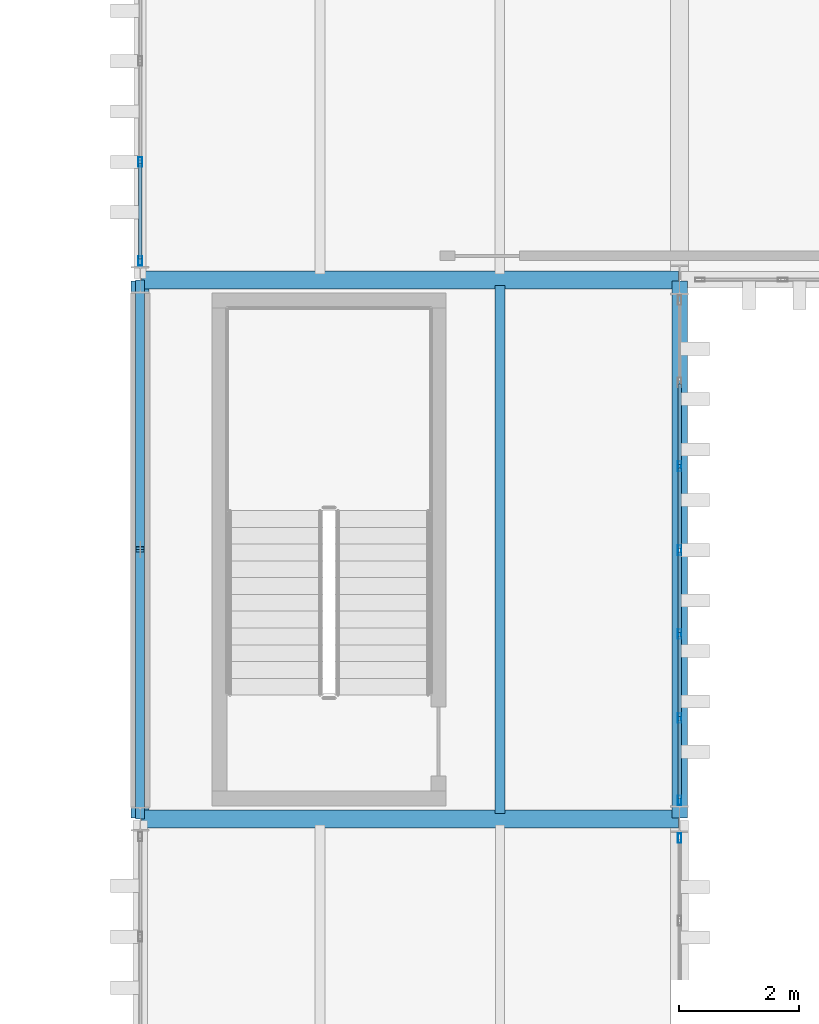
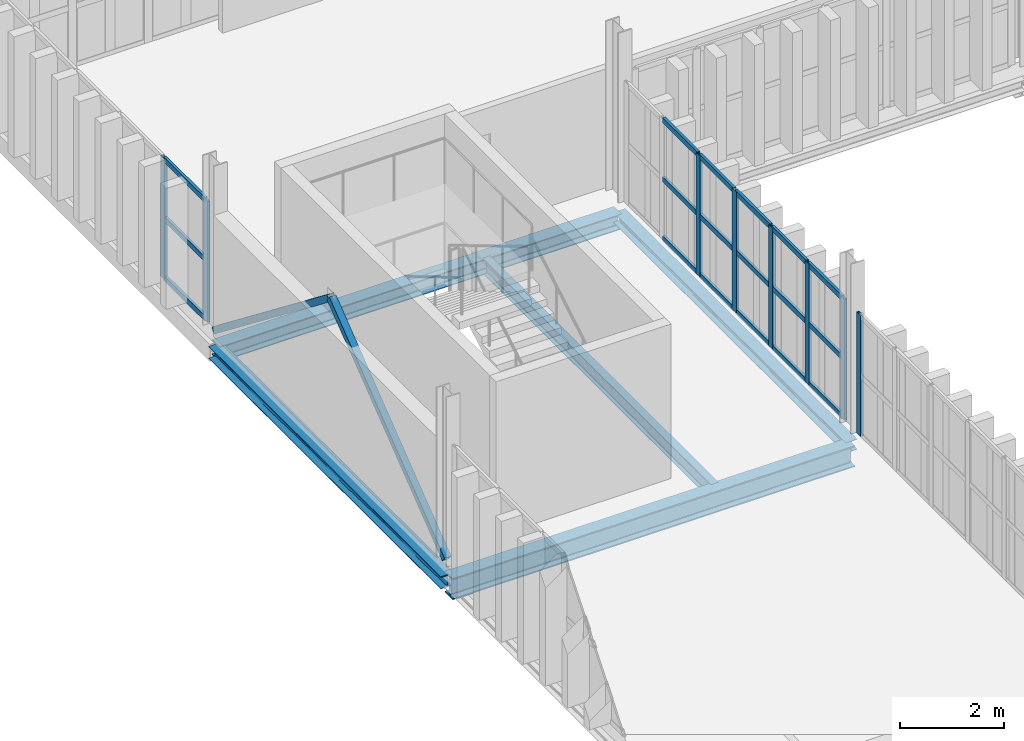
# One storey, part 55 of 102: 28 members, 5 beams, 3 elements without a shape of their own.
"""IFC4 building model written with IfcOpenShell, lengths in metres."""

from ifc_helpers import new_model, si_unit, direction, frame, origin, origin_2d, place, context, subcontext, project, spatial, hollow_rectangle, i_section, extrude, material, layer, layer_set, material_profile, profile_set, type_object, element, aggregate, save


model = new_model("IFC4")

# Units and contexts
model_context = context("Model", 3, precision=1e-05, world=origin(), true_north=direction((0.0, 1.0)))
body_context = subcontext(model_context, "Body", "Model", "MODEL_VIEW")
ifc_project = project(units=[si_unit("LENGTHUNIT", "METRE"), si_unit("AREAUNIT", "SQUARE_METRE"), si_unit("VOLUMEUNIT", "CUBIC_METRE"), si_unit("PLANEANGLEUNIT", "RADIAN"), si_unit("MASSUNIT", "GRAM", prefix="KILO")], contexts=[model_context])

# Site, building, storey
site_placement = place(None, origin())
site = spatial("IfcSite", under=ifc_project, at=site_placement, CompositionType="ELEMENT")
building_placement = place(site_placement, origin())
building = spatial("IfcBuilding", under=site, at=building_placement, Name="Barlavento Convention Centre", CompositionType="ELEMENT")
storey_placement = place(building_placement, frame((0.0, 0.0, 22.800048828125)))
storey = spatial("IfcBuildingStorey", under=building, at=storey_placement, Name="L04", CompositionType="ELEMENT", Elevation=22.800048828125)

# Curtain wall, member
ifc_material_1 = material(Name="Powder-coated aluminium and Low-E glass", Category="aluminium")
ifc_layer_1 = layer(ifc_material_1, 0.179931640625)
ifc_layer_set_1 = layer_set([ifc_layer_1], Name="ARC-CW-PATIO-B")
curtain_wall_type_1 = type_object("IfcCurtainWallType", Name="ARC-CW-PATIO-B", PredefinedType="NOTDEFINED", material=ifc_layer_set_1)
curtain_wall_1_placement = place(storey_placement, origin())
curtain_wall_1 = element("IfcCurtainWall", 1, at=curtain_wall_1_placement, inside=storey, type_object=curtain_wall_type_1, Name="L04 unitised curtain wall CW12", PredefinedType="NOTDEFINED")
ifc_material_2 = material(Name="Powder-coated aluminium", Category="aluminium")
ifc_material_profile_1 = material_profile(ifc_material_2, hollow_rectangle(XDim=0.06005859375, YDim=0.159912109375, WallThickness=0.00390625, at=origin_2d()), Name="AL-MULL 60x160x4")
ifc_profile_set_1 = profile_set([ifc_material_profile_1], Name="Powder-coated aluminium")
member_type_1 = type_object("IfcMemberType", Name="ARC-CWM-60X160", PredefinedType="MULLION", material=ifc_profile_set_1)
member_1_placement = place(storey_placement, frame((135.0, 80.68505859375, 0.0), z_axis=(0.0, 0.0, 1.0), x_axis=(-1.0, 0.0, 0.0)))
member_1 = element("IfcMember", 2, at=member_1_placement, type_object=member_type_1, Name="CW12 mullion 7", PredefinedType="MULLION", context=body_context, shape_type="SweptSolid", body=[
    extrude(hollow_rectangle(XDim=0.06005859375, YDim=0.159912109375, WallThickness=0.00390625, at=origin_2d()), origin(), (0.0, 0.0, 1.0), 2.849853515625),
])
aggregate(curtain_wall_1, [member_1])

# Curtain wall, members
curtain_wall_2_placement = place(storey_placement, origin())
curtain_wall_2 = element("IfcCurtainWall", 3, at=curtain_wall_2_placement, inside=storey, type_object=curtain_wall_type_1, Name="L04 unitised curtain wall CW12", PredefinedType="NOTDEFINED")
member_2_placement = place(storey_placement, frame((135.0, 81.31494140625, 0.0), z_axis=(0.0, 0.0, 1.0), x_axis=(-1.0, 0.0, 0.0)))
member_2 = element("IfcMember", 4, at=member_2_placement, type_object=member_type_1, Name="CW12 mullion 1", PredefinedType="MULLION", context=body_context, shape_type="SweptSolid", body=[
    extrude(hollow_rectangle(XDim=0.06005859375, YDim=0.159912109375, WallThickness=0.00390625, at=origin_2d()), origin(), (0.0, 0.0, 1.0), 2.849853515625),
])
member_3_placement = place(storey_placement, frame((135.0, 82.685791015625, 0.0), z_axis=(0.0, 0.0, 1.0), x_axis=(-1.0, 0.0, 0.0)))
member_3 = element("IfcMember", 5, at=member_3_placement, type_object=member_type_1, Name="CW12 mullion 2", PredefinedType="MULLION", context=body_context, shape_type="SweptSolid", body=[
    extrude(hollow_rectangle(XDim=0.06005859375, YDim=0.159912109375, WallThickness=0.00390625, at=origin_2d()), origin(), (0.0, 0.0, 1.0), 2.849853515625),
])
member_4_placement = place(storey_placement, frame((135.0, 84.086669921875, 0.0), z_axis=(0.0, 0.0, 1.0), x_axis=(-1.0, 0.0, 0.0)))
member_4 = element("IfcMember", 6, at=member_4_placement, type_object=member_type_1, Name="CW12 mullion 3", PredefinedType="MULLION", context=body_context, shape_type="SweptSolid", body=[
    extrude(hollow_rectangle(XDim=0.06005859375, YDim=0.159912109375, WallThickness=0.00390625, at=origin_2d()), origin(), (0.0, 0.0, 1.0), 2.849853515625),
])
member_5_placement = place(storey_placement, frame((135.0, 85.487548828125, 0.0), z_axis=(0.0, 0.0, 1.0), x_axis=(-1.0, 0.0, 0.0)))
member_5 = element("IfcMember", 7, at=member_5_placement, type_object=member_type_1, Name="CW12 mullion 4", PredefinedType="MULLION", context=body_context, shape_type="SweptSolid", body=[
    extrude(hollow_rectangle(XDim=0.06005859375, YDim=0.159912109375, WallThickness=0.00390625, at=origin_2d()), origin(), (0.0, 0.0, 1.0), 2.849853515625),
])
member_6_placement = place(storey_placement, frame((135.0, 86.888427734375, 0.0), z_axis=(0.0, 0.0, 1.0), x_axis=(-1.0, 0.0, 0.0)))
member_6 = element("IfcMember", 8, at=member_6_placement, type_object=member_type_1, Name="CW12 mullion 5", PredefinedType="MULLION", context=body_context, shape_type="SweptSolid", body=[
    extrude(hollow_rectangle(XDim=0.06005859375, YDim=0.159912109375, WallThickness=0.00390625, at=origin_2d()), origin(), (0.0, 0.0, 1.0), 2.849853515625),
])

ifc_layer_2 = layer(ifc_material_1, 0.18505859375)
ifc_layer_set_2 = layer_set([ifc_layer_2], Name="ARC-CW-CONF-L04")
curtain_wall_type_2 = type_object("IfcCurtainWallType", Name="ARC-CW-CONF-L04", PredefinedType="NOTDEFINED", material=ifc_layer_set_2)
curtain_wall_3_placement = place(storey_placement, origin())
curtain_wall_3 = element("IfcCurtainWall", 9, at=curtain_wall_3_placement, inside=storey, type_object=curtain_wall_type_2, Name="L04 unitised curtain wall CW09", PredefinedType="NOTDEFINED")
member_7_placement = place(storey_placement, frame((126.0, 90.31494140625, 0.0), z_axis=(0.0, 0.0, 1.0), x_axis=(-1.0, 0.0, 0.0)))
member_7 = element("IfcMember", 10, at=member_7_placement, type_object=member_type_1, Name="CW09 mullion 1", PredefinedType="MULLION", context=body_context, shape_type="SweptSolid", body=[
    extrude(hollow_rectangle(XDim=0.06005859375, YDim=0.159912109375, WallThickness=0.00390625, at=origin_2d()), origin(), (0.0, 0.0, 1.0), 2.849853515625),
])
member_8_placement = place(storey_placement, frame((126.0, 91.966064453125, 0.0), z_axis=(0.0, 0.0, 1.0), x_axis=(-1.0, 0.0, 0.0)))
member_8 = element("IfcMember", 11, at=member_8_placement, type_object=member_type_1, Name="CW09 mullion 2", PredefinedType="MULLION", context=body_context, shape_type="SweptSolid", body=[
    extrude(hollow_rectangle(XDim=0.06005859375, YDim=0.159912109375, WallThickness=0.00390625, at=origin_2d()), origin(), (0.0, 0.0, 1.0), 2.849853515625),
])

# Member
ifc_material_profile_2 = material_profile(ifc_material_2, hollow_rectangle(XDim=0.06005859375, YDim=0.1201171875, WallThickness=0.00390625, at=origin_2d()), Name="AL-TRAN 60x120x4")
ifc_profile_set_2 = profile_set([ifc_material_profile_2], Name="Powder-coated aluminium")
member_type_2 = type_object("IfcMemberType", Name="ARC-CWT-60X120", PredefinedType="USERDEFINED", material=ifc_profile_set_2)
member_9_placement = place(storey_placement, frame((135.0, 81.344970703125, 0.030029296875), z_axis=(0.0, 1.0, 0.0), x_axis=(-1.0, 0.0, 0.0)))
member_9 = element("IfcMember", 12, at=member_9_placement, type_object=member_type_2, Name="CW12 transom 1.1", ObjectType="TRANSOM", PredefinedType="USERDEFINED", context=body_context, shape_type="SweptSolid", body=[
    extrude(hollow_rectangle(XDim=0.06005859375, YDim=0.1201171875, WallThickness=0.00390625, at=origin_2d()), origin(), (0.0, 0.0, 1.0), 1.310791015625),
])

member_10_placement = place(storey_placement, frame((135.0, 81.344970703125, 1.425048828125), z_axis=(0.0, 1.0, 0.0), x_axis=(-1.0, 0.0, 0.0)))
member_10 = element("IfcMember", 13, at=member_10_placement, type_object=member_type_2, Name="CW12 transom 1.2", ObjectType="TRANSOM", PredefinedType="USERDEFINED", context=body_context, shape_type="SweptSolid", body=[
    extrude(hollow_rectangle(XDim=0.06005859375, YDim=0.1201171875, WallThickness=0.00390625, at=origin_2d()), origin(), (0.0, 0.0, 1.0), 1.310791015625),
])

member_11_placement = place(storey_placement, frame((135.0, 81.344970703125, 2.820068359375), z_axis=(0.0, 1.0, 0.0), x_axis=(-1.0, 0.0, 0.0)))
member_11 = element("IfcMember", 14, at=member_11_placement, type_object=member_type_2, Name="CW12 transom 1.3", ObjectType="TRANSOM", PredefinedType="USERDEFINED", context=body_context, shape_type="SweptSolid", body=[
    extrude(hollow_rectangle(XDim=0.06005859375, YDim=0.1201171875, WallThickness=0.00390625, at=origin_2d()), origin(), (0.0, 0.0, 1.0), 1.310791015625),
])

member_12_placement = place(storey_placement, frame((135.0, 82.7158203125, 0.030029296875), z_axis=(0.0, 1.0, 0.0), x_axis=(-1.0, 0.0, 0.0)))
member_12 = element("IfcMember", 15, at=member_12_placement, type_object=member_type_2, Name="CW12 transom 2.1", ObjectType="TRANSOM", PredefinedType="USERDEFINED", context=body_context, shape_type="SweptSolid", body=[
    extrude(hollow_rectangle(XDim=0.06005859375, YDim=0.1201171875, WallThickness=0.00390625, at=origin_2d()), origin(), (0.0, 0.0, 1.0), 1.3408203125),
])

member_13_placement = place(storey_placement, frame((135.0, 82.7158203125, 1.425048828125), z_axis=(0.0, 1.0, 0.0), x_axis=(-1.0, 0.0, 0.0)))
member_13 = element("IfcMember", 16, at=member_13_placement, type_object=member_type_2, Name="CW12 transom 2.2", ObjectType="TRANSOM", PredefinedType="USERDEFINED", context=body_context, shape_type="SweptSolid", body=[
    extrude(hollow_rectangle(XDim=0.06005859375, YDim=0.1201171875, WallThickness=0.00390625, at=origin_2d()), origin(), (0.0, 0.0, 1.0), 1.3408203125),
])

member_14_placement = place(storey_placement, frame((135.0, 82.7158203125, 2.820068359375), z_axis=(0.0, 1.0, 0.0), x_axis=(-1.0, 0.0, 0.0)))
member_14 = element("IfcMember", 17, at=member_14_placement, type_object=member_type_2, Name="CW12 transom 2.3", ObjectType="TRANSOM", PredefinedType="USERDEFINED", context=body_context, shape_type="SweptSolid", body=[
    extrude(hollow_rectangle(XDim=0.06005859375, YDim=0.1201171875, WallThickness=0.00390625, at=origin_2d()), origin(), (0.0, 0.0, 1.0), 1.3408203125),
])

member_15_placement = place(storey_placement, frame((135.0, 84.11669921875, 0.030029296875), z_axis=(0.0, 1.0, 0.0), x_axis=(-1.0, 0.0, 0.0)))
member_15 = element("IfcMember", 18, at=member_15_placement, type_object=member_type_2, Name="CW12 transom 3.1", ObjectType="TRANSOM", PredefinedType="USERDEFINED", context=body_context, shape_type="SweptSolid", body=[
    extrude(hollow_rectangle(XDim=0.06005859375, YDim=0.1201171875, WallThickness=0.00390625, at=origin_2d()), origin(), (0.0, 0.0, 1.0), 1.3408203125),
])

member_16_placement = place(storey_placement, frame((135.0, 84.11669921875, 1.425048828125), z_axis=(0.0, 1.0, 0.0), x_axis=(-1.0, 0.0, 0.0)))
member_16 = element("IfcMember", 19, at=member_16_placement, type_object=member_type_2, Name="CW12 transom 3.2", ObjectType="TRANSOM", PredefinedType="USERDEFINED", context=body_context, shape_type="SweptSolid", body=[
    extrude(hollow_rectangle(XDim=0.06005859375, YDim=0.1201171875, WallThickness=0.00390625, at=origin_2d()), origin(), (0.0, 0.0, 1.0), 1.3408203125),
])

member_17_placement = place(storey_placement, frame((135.0, 84.11669921875, 2.820068359375), z_axis=(0.0, 1.0, 0.0), x_axis=(-1.0, 0.0, 0.0)))
member_17 = element("IfcMember", 20, at=member_17_placement, type_object=member_type_2, Name="CW12 transom 3.3", ObjectType="TRANSOM", PredefinedType="USERDEFINED", context=body_context, shape_type="SweptSolid", body=[
    extrude(hollow_rectangle(XDim=0.06005859375, YDim=0.1201171875, WallThickness=0.00390625, at=origin_2d()), origin(), (0.0, 0.0, 1.0), 1.3408203125),
])

member_18_placement = place(storey_placement, frame((135.0, 85.517578125, 0.030029296875), z_axis=(0.0, 1.0, 0.0), x_axis=(-1.0, 0.0, 0.0)))
member_18 = element("IfcMember", 21, at=member_18_placement, type_object=member_type_2, Name="CW12 transom 4.1", ObjectType="TRANSOM", PredefinedType="USERDEFINED", context=body_context, shape_type="SweptSolid", body=[
    extrude(hollow_rectangle(XDim=0.06005859375, YDim=0.1201171875, WallThickness=0.00390625, at=origin_2d()), origin(), (0.0, 0.0, 1.0), 1.3408203125),
])

member_19_placement = place(storey_placement, frame((135.0, 85.517578125, 1.425048828125), z_axis=(0.0, 1.0, 0.0), x_axis=(-1.0, 0.0, 0.0)))
member_19 = element("IfcMember", 22, at=member_19_placement, type_object=member_type_2, Name="CW12 transom 4.2", ObjectType="TRANSOM", PredefinedType="USERDEFINED", context=body_context, shape_type="SweptSolid", body=[
    extrude(hollow_rectangle(XDim=0.06005859375, YDim=0.1201171875, WallThickness=0.00390625, at=origin_2d()), origin(), (0.0, 0.0, 1.0), 1.3408203125),
])

member_20_placement = place(storey_placement, frame((135.0, 85.517578125, 2.820068359375), z_axis=(0.0, 1.0, 0.0), x_axis=(-1.0, 0.0, 0.0)))
member_20 = element("IfcMember", 23, at=member_20_placement, type_object=member_type_2, Name="CW12 transom 4.3", ObjectType="TRANSOM", PredefinedType="USERDEFINED", context=body_context, shape_type="SweptSolid", body=[
    extrude(hollow_rectangle(XDim=0.06005859375, YDim=0.1201171875, WallThickness=0.00390625, at=origin_2d()), origin(), (0.0, 0.0, 1.0), 1.3408203125),
])

member_21_placement = place(storey_placement, frame((135.0, 86.918212890625, 0.030029296875), z_axis=(0.0, 1.0, 0.0), x_axis=(-1.0, 0.0, 0.0)))
member_21 = element("IfcMember", 24, at=member_21_placement, type_object=member_type_2, Name="CW12 transom 5.1", ObjectType="TRANSOM", PredefinedType="USERDEFINED", context=body_context, shape_type="SweptSolid", body=[
    extrude(hollow_rectangle(XDim=0.06005859375, YDim=0.1201171875, WallThickness=0.00390625, at=origin_2d()), origin(), (0.0, 0.0, 1.0), 1.341064453125),
])

member_22_placement = place(storey_placement, frame((135.0, 86.918212890625, 1.425048828125), z_axis=(0.0, 1.0, 0.0), x_axis=(-1.0, 0.0, 0.0)))
member_22 = element("IfcMember", 25, at=member_22_placement, type_object=member_type_2, Name="CW12 transom 5.2", ObjectType="TRANSOM", PredefinedType="USERDEFINED", context=body_context, shape_type="SweptSolid", body=[
    extrude(hollow_rectangle(XDim=0.06005859375, YDim=0.1201171875, WallThickness=0.00390625, at=origin_2d()), origin(), (0.0, 0.0, 1.0), 1.341064453125),
])

member_23_placement = place(storey_placement, frame((135.0, 86.918212890625, 2.820068359375), z_axis=(0.0, 1.0, 0.0), x_axis=(-1.0, 0.0, 0.0)))
member_23 = element("IfcMember", 26, at=member_23_placement, type_object=member_type_2, Name="CW12 transom 5.3", ObjectType="TRANSOM", PredefinedType="USERDEFINED", context=body_context, shape_type="SweptSolid", body=[
    extrude(hollow_rectangle(XDim=0.06005859375, YDim=0.1201171875, WallThickness=0.00390625, at=origin_2d()), origin(), (0.0, 0.0, 1.0), 1.341064453125),
])

aggregate(curtain_wall_2, [member_2, member_3, member_4, member_5, member_6, member_9, member_10, member_11, member_12, member_13, member_14, member_15, member_16, member_17, member_18, member_19, member_20, member_21, member_22, member_23])

member_24_placement = place(storey_placement, frame((126.0, 90.344970703125, 0.030029296875), z_axis=(0.0, 1.0, 0.0), x_axis=(-1.0, 0.0, 0.0)))
member_24 = element("IfcMember", 27, at=member_24_placement, type_object=member_type_2, Name="CW09 transom 1.1", ObjectType="TRANSOM", PredefinedType="USERDEFINED", context=body_context, shape_type="SweptSolid", body=[
    extrude(hollow_rectangle(XDim=0.06005859375, YDim=0.1201171875, WallThickness=0.00390625, at=origin_2d()), origin(), (0.0, 0.0, 1.0), 1.591064453125),
])

member_25_placement = place(storey_placement, frame((126.0, 90.344970703125, 1.425048828125), z_axis=(0.0, 1.0, 0.0), x_axis=(-1.0, 0.0, 0.0)))
member_25 = element("IfcMember", 28, at=member_25_placement, type_object=member_type_2, Name="CW09 transom 1.2", ObjectType="TRANSOM", PredefinedType="USERDEFINED", context=body_context, shape_type="SweptSolid", body=[
    extrude(hollow_rectangle(XDim=0.06005859375, YDim=0.1201171875, WallThickness=0.00390625, at=origin_2d()), origin(), (0.0, 0.0, 1.0), 1.591064453125),
])

member_26_placement = place(storey_placement, frame((126.0, 90.344970703125, 2.820068359375), z_axis=(0.0, 1.0, 0.0), x_axis=(-1.0, 0.0, 0.0)))
member_26 = element("IfcMember", 29, at=member_26_placement, type_object=member_type_2, Name="CW09 transom 1.3", ObjectType="TRANSOM", PredefinedType="USERDEFINED", context=body_context, shape_type="SweptSolid", body=[
    extrude(hollow_rectangle(XDim=0.06005859375, YDim=0.1201171875, WallThickness=0.00390625, at=origin_2d()), origin(), (0.0, 0.0, 1.0), 1.591064453125),
])

aggregate(curtain_wall_3, [member_7, member_8, member_24, member_25, member_26])

# Beams
ifc_material_3 = material(Name="Steel S355", Category="steel")
ifc_material_profile_3 = material_profile(ifc_material_3, i_section(OverallWidth=0.169921875, OverallDepth=0.360107421875, WebThickness=0.008056640625, FlangeThickness=0.0126953125, FilletRadius=0.01806640625, at=origin_2d()), Name="IPE 360")
ifc_profile_set_3 = profile_set([ifc_material_profile_3], Name="Steel S355")
beam_type_1 = type_object("IfcBeamType", Name="STR-BM-JST-IPE360", PredefinedType="JOIST", material=ifc_profile_set_3)
beam_1_placement = place(storey_placement, frame((132.0, 81.094970703125, -0.5400390625), z_axis=(0.0, 1.0, 0.0), x_axis=(-1.0, 0.0, 0.0)))
element("IfcBeam", 30, at=beam_1_placement, inside=storey, type_object=beam_type_1, Name="L04 composite floor joist SJ05", PredefinedType="JOIST", context=body_context, shape_type="SweptSolid", body=[
    extrude(i_section(OverallWidth=0.169921875, OverallDepth=0.360107421875, WebThickness=0.008056640625, FlangeThickness=0.0126953125, FilletRadius=0.01806640625, at=origin_2d()), origin(), (0.0, 0.0, 1.0), 8.81005859375),
])
ifc_material_profile_4 = material_profile(ifc_material_3, i_section(OverallWidth=0.300048828125, OverallDepth=0.360107421875, WebThickness=0.012451171875, FlangeThickness=0.0224609375, FilletRadius=0.027099609375, at=origin_2d()), Name="HEB 360")
ifc_profile_set_4 = profile_set([ifc_material_profile_4], Name="Steel S355")
beam_type_2 = type_object("IfcBeamType", Name="STR-BM-PRI-HEB360", PredefinedType="BEAM", material=ifc_profile_set_4)
beam_2_placement = place(storey_placement, frame((126.02001953125, 90.0, -0.5400390625), z_axis=(1.0, 0.0, 0.0), x_axis=(0.0, 1.0, 0.0)))
element("IfcBeam", 31, at=beam_2_placement, inside=storey, type_object=beam_type_2, Name="L04 primary girder BG12", PredefinedType="BEAM", context=body_context, shape_type="SweptSolid", body=[
    extrude(i_section(OverallWidth=0.300048828125, OverallDepth=0.360107421875, WebThickness=0.012451171875, FlangeThickness=0.0224609375, FilletRadius=0.027099609375, at=origin_2d()), origin(), (0.0, 0.0, 1.0), 8.9599609375),
])
ifc_material_profile_5 = material_profile(ifc_material_3, i_section(OverallWidth=0.300048828125, OverallDepth=0.5, WebThickness=0.014404296875, FlangeThickness=0.028076171875, FilletRadius=0.027099609375, at=origin_2d()), Name="HEB 500")
ifc_profile_set_5 = profile_set([ifc_material_profile_5], Name="Steel S355")
beam_type_3 = type_object("IfcBeamType", Name="STR-BM-PRI-HEB500", PredefinedType="BEAM", material=ifc_profile_set_5)
beam_3_placement = place(storey_placement, frame((126.02001953125, 81.0, -0.610107421875), z_axis=(1.0, 0.0, 0.0), x_axis=(0.0, 1.0, 0.0)))
element("IfcBeam", 32, at=beam_3_placement, inside=storey, type_object=beam_type_3, Name="L04 primary girder BG09", PredefinedType="BEAM", context=body_context, shape_type="SweptSolid", body=[
    extrude(i_section(OverallWidth=0.300048828125, OverallDepth=0.5, WebThickness=0.014404296875, FlangeThickness=0.028076171875, FilletRadius=0.027099609375, at=origin_2d()), origin(), (0.0, 0.0, 1.0), 8.9599609375),
])
ifc_material_profile_6 = material_profile(ifc_material_3, i_section(OverallWidth=0.260009765625, OverallDepth=0.25, WebThickness=0.007568359375, FlangeThickness=0.012451171875, FilletRadius=0.02392578125, at=origin_2d()), Name="HEA 260")
ifc_profile_set_6 = profile_set([ifc_material_profile_6], Name="Steel S355")
beam_type_4 = type_object("IfcBeamType", Name="STR-BM-SPN-HEA260", PredefinedType="SPANDREL", material=ifc_profile_set_6)
beam_4_placement = place(storey_placement, frame((135.0, 81.02001953125, -0.485107421875), z_axis=(0.0, 1.0, 0.0), x_axis=(-1.0, 0.0, 0.0)))
element("IfcBeam", 33, at=beam_4_placement, inside=storey, type_object=beam_type_4, Name="L04 grid girder SP04", PredefinedType="SPANDREL", context=body_context, shape_type="SweptSolid", body=[
    extrude(i_section(OverallWidth=0.260009765625, OverallDepth=0.25, WebThickness=0.007568359375, FlangeThickness=0.012451171875, FilletRadius=0.02392578125, at=origin_2d()), origin(), (0.0, 0.0, 1.0), 8.9599609375),
])
ifc_material_profile_7 = material_profile(ifc_material_3, i_section(OverallWidth=0.300048828125, OverallDepth=0.2900390625, WebThickness=0.008544921875, FlangeThickness=0.013916015625, FilletRadius=0.027099609375, at=origin_2d()), Name="HEA 300")
ifc_profile_set_7 = profile_set([ifc_material_profile_7], Name="Steel S355")
beam_type_5 = type_object("IfcBeamType", Name="STR-BM-SPN-HEA300", PredefinedType="SPANDREL", material=ifc_profile_set_7)
beam_5_placement = place(storey_placement, frame((126.0, 81.02001953125, -0.505126953125), z_axis=(0.0, 1.0, 0.0), x_axis=(-1.0, 0.0, 0.0)))
element("IfcBeam", 34, at=beam_5_placement, inside=storey, type_object=beam_type_5, Name="L04 grid girder SP02", PredefinedType="SPANDREL", context=body_context, shape_type="SweptSolid", body=[
    extrude(i_section(OverallWidth=0.300048828125, OverallDepth=0.2900390625, WebThickness=0.008544921875, FlangeThickness=0.013916015625, FilletRadius=0.027099609375, at=origin_2d()), origin(), (0.0, 0.0, 1.0), 8.9599609375),
])

# Members
ifc_material_profile_8 = material_profile(ifc_material_3, hollow_rectangle(XDim=0.14990234375, YDim=0.14990234375, WallThickness=0.008056640625, at=origin_2d()), Name="SHS 150x150x8.0")
ifc_profile_set_8 = profile_set([ifc_material_profile_8], Name="Steel S355")
member_type_3 = type_object("IfcMemberType", Name="STR-MEM-BRC-SHS150", PredefinedType="BRACE", material=ifc_profile_set_8)
for number, where, z_axis, x_axis, name in (
    (35, (126.0, 81.050048828125, 0.0), (0.0, 0.789447827372, 0.613817666622), (-1.0, 0.0, 0.0), "Concentric lateral chevron brace BF04"),
    (36, (126.0, 89.949951171875, 0.0), (0.0, -0.789447827372, 0.613817666622), (1.0, 0.0, 0.0), "Concentric lateral chevron brace BF04"),
):
    element("IfcMember", number, at=place(storey_placement, frame(where, z_axis=z_axis, x_axis=x_axis)), inside=storey, type_object=member_type_3, Name=name, PredefinedType="BRACE", context=body_context, shape_type="SweptSolid", body=[
        extrude(hollow_rectangle(XDim=0.14990234375, YDim=0.14990234375, WallThickness=0.008056640625, at=origin_2d()), origin(), (0.0, 0.0, 1.0), 5.63671875),
    ])

save(model, "model.ifc")
